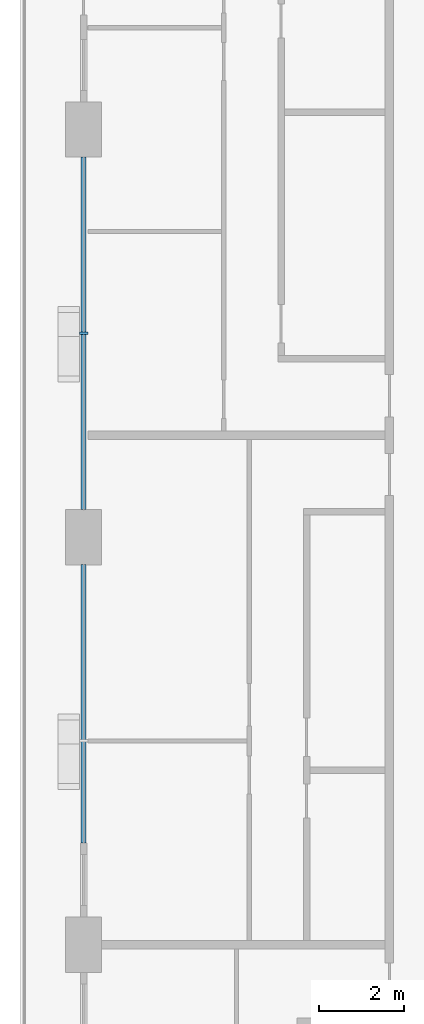
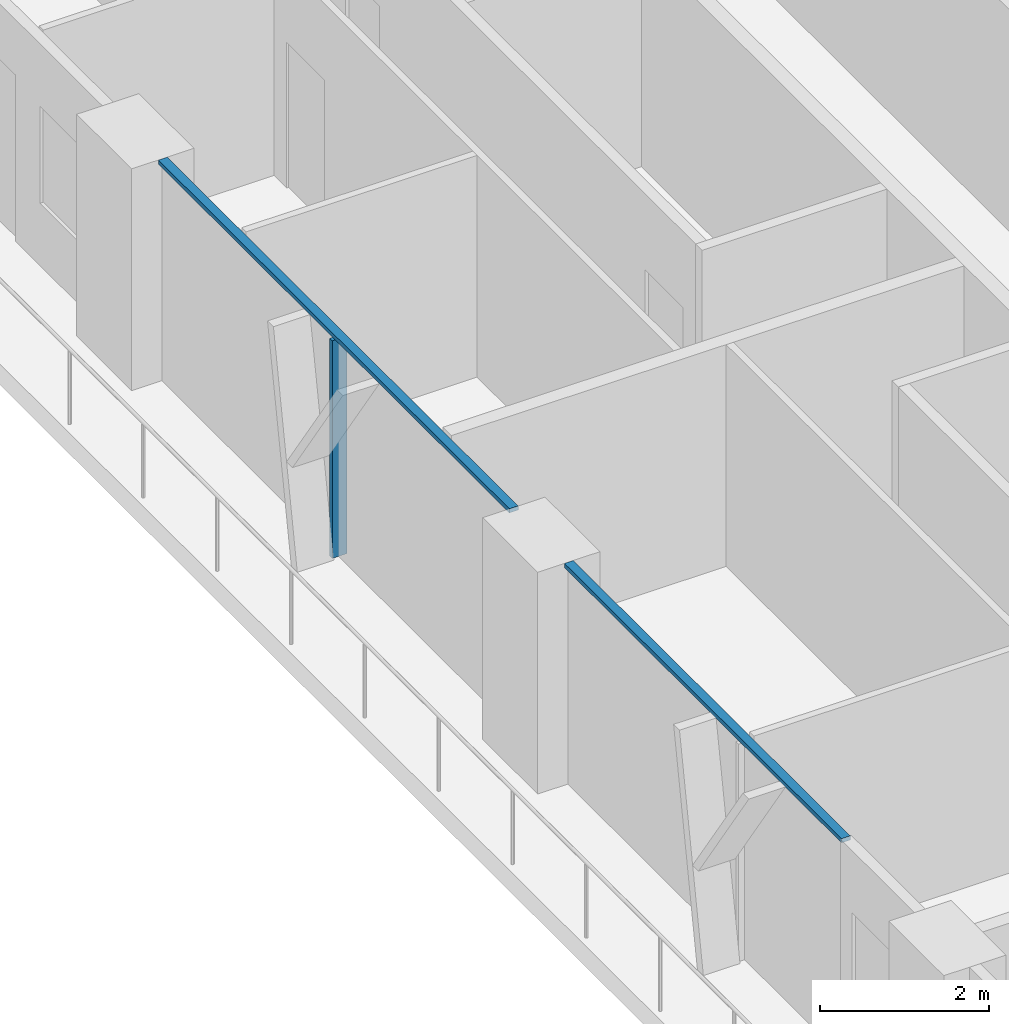
# One storey, part 3 of 22: 3 members, 2 elements without a shape of their own.
"""IFC4 building model written with IfcOpenShell, lengths in metres."""

from ifc_helpers import new_model, si_unit, direction, frame, origin, origin_2d, place, context, subcontext, project, spatial, rectangle, extrude, material, layer, layer_set, material_profile, profile_set, type_object, element, aggregate, save


model = new_model("IFC4")

# Units and contexts
model_context = context("Model", 3, precision=1e-05, world=origin(), true_north=direction((0.0, 1.0)))
body_context = subcontext(model_context, "Body", "Model", "MODEL_VIEW")
ifc_project = project(units=[si_unit("LENGTHUNIT", "METRE"), si_unit("AREAUNIT", "SQUARE_METRE"), si_unit("VOLUMEUNIT", "CUBIC_METRE"), si_unit("PLANEANGLEUNIT", "RADIAN"), si_unit("MASSUNIT", "GRAM", prefix="KILO")], contexts=[model_context])

# Site, building, storey
site_placement = place(None, origin())
site = spatial("IfcSite", under=ifc_project, at=site_placement, CompositionType="ELEMENT")
building_placement = place(site_placement, origin())
building = spatial("IfcBuilding", under=site, at=building_placement, Name="Madar Terraces", CompositionType="ELEMENT")
storey_placement = place(building_placement, frame((0.0, 0.0, 73.300048828125)))
storey = spatial("IfcBuildingStorey", under=building, at=storey_placement, Name="L18", CompositionType="ELEMENT", Elevation=73.300048828125)

# Curtain wall, members
ifc_material_1 = material(Name="Glass, ceramic frit dark grey, with black aluminium frame", Category="aluminium")
ifc_layer = layer(ifc_material_1, 0.199951171875)
ifc_layer_set = layer_set([ifc_layer], Name="Facade curtain wall, fritted glass")
curtain_wall_type = type_object("IfcCurtainWallType", Name="Facade curtain wall, fritted glass", PredefinedType="NOTDEFINED", material=ifc_layer_set)
curtain_wall_1_placement = place(storey_placement, origin())
curtain_wall_1 = element("IfcCurtainWall", 1, at=curtain_wall_1_placement, inside=storey, type_object=curtain_wall_type, Name="Outer skin curtain wall west bay 2", PredefinedType="NOTDEFINED")
ifc_material_2 = material(Name="Aluminium, black anodised", Category="aluminium")
ifc_material_profile_1 = material_profile(ifc_material_2, rectangle(XDim=0.199951171875, YDim=0.06005859375, at=origin_2d()), Name="Facade mullion 60x200")
ifc_profile_set_1 = profile_set([ifc_material_profile_1], Name="Aluminium, black anodised")
member_type_1 = type_object("IfcMemberType", Name="Facade mullion 60x200", PredefinedType="MULLION", material=ifc_profile_set_1)
member_1_placement = place(storey_placement, frame((4.800048828125, 28.800048828125, 0.0), z_axis=(0.0, 0.0, 1.0), x_axis=(1.0, 0.0, 0.0)))
member_1 = element("IfcMember", 2, at=member_1_placement, type_object=member_type_1, Name="Mullion 1", PredefinedType="MULLION", context=body_context, shape_type="SweptSolid", body=[
    extrude(rectangle(XDim=0.199951171875, YDim=0.06005859375, at=origin_2d()), origin(), (0.0, 0.0, 1.0), 3.139892578125),
])
ifc_material_3 = material(Name="Aluminium, black anodised", Category="aluminium")
ifc_material_profile_2 = material_profile(ifc_material_3, rectangle(XDim=0.1201171875, YDim=0.06005859375, at=origin_2d()), Name="Facade transom 60x120")
ifc_profile_set_2 = profile_set([ifc_material_profile_2], Name="Aluminium, black anodised")
member_type_2 = type_object("IfcMemberType", Name="Facade transom 60x120", PredefinedType="USERDEFINED", material=ifc_profile_set_2)
member_2_placement = place(storey_placement, frame((4.800048828125, 32.949951171875, 3.169921875), z_axis=(0.0, -1.0, 0.0), x_axis=(1.0, 0.0, 0.0)))
member_2 = element("IfcMember", 3, at=member_2_placement, type_object=member_type_2, Name="Transom 1", ObjectType="TRANSOM", PredefinedType="USERDEFINED", context=body_context, shape_type="SweptSolid", body=[
    extrude(rectangle(XDim=0.1201171875, YDim=0.06005859375, at=origin_2d()), origin(), (0.0, 0.0, 1.0), 8.300048828125),
])
aggregate(curtain_wall_1, [member_1, member_2])

# Curtain wall, member
curtain_wall_2_placement = place(storey_placement, origin())
curtain_wall_2 = element("IfcCurtainWall", 4, at=curtain_wall_2_placement, inside=storey, type_object=curtain_wall_type, Name="Outer skin curtain wall west bay 3", PredefinedType="NOTDEFINED")
member_3_placement = place(storey_placement, frame((4.800048828125, 23.35009765625, 3.169921875), z_axis=(0.0, -1.0, 0.0), x_axis=(1.0, 0.0, 0.0)))
member_3 = element("IfcMember", 5, at=member_3_placement, type_object=member_type_2, Name="Transom 1", ObjectType="TRANSOM", PredefinedType="USERDEFINED", context=body_context, shape_type="SweptSolid", body=[
    extrude(rectangle(XDim=0.1201171875, YDim=0.06005859375, at=origin_2d()), origin(), (0.0, 0.0, 1.0), 6.550048828125),
])
aggregate(curtain_wall_2, [member_3])

save(model, "model.ifc")
